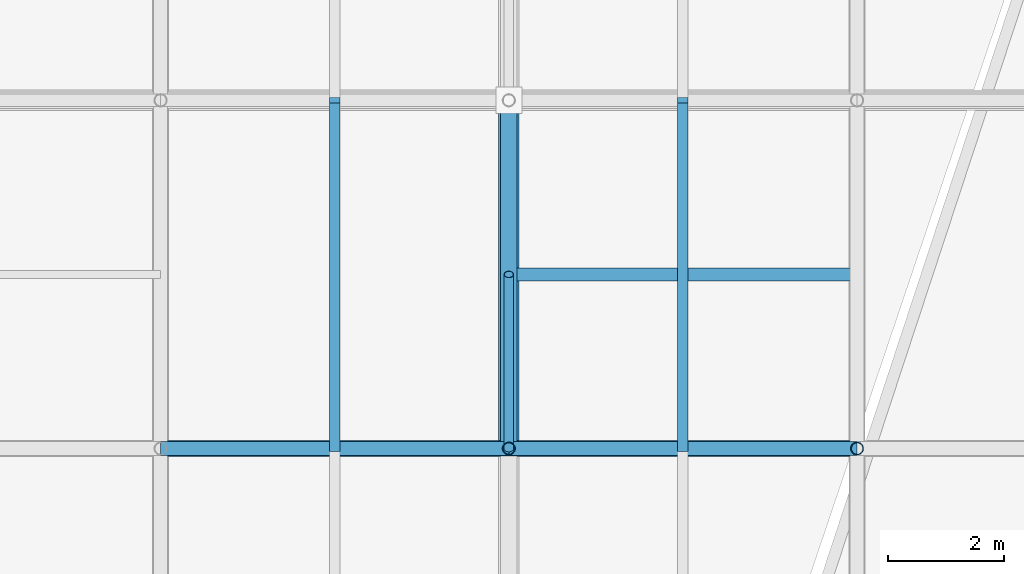
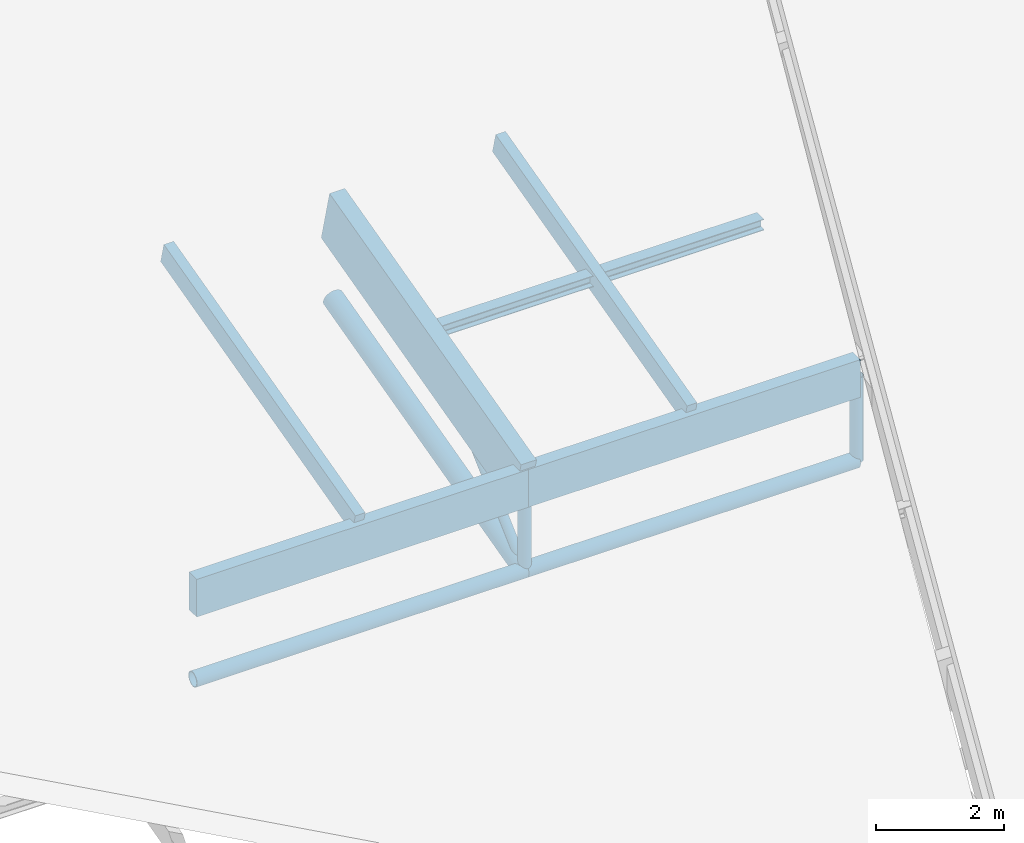
# One storey, part 10 of 80: 12 members.
"""IFC4 building model written with IfcOpenShell, lengths in metres."""

from ifc_helpers import new_model, si_unit, direction, frame, origin, origin_2d, place, context, subcontext, project, spatial, rectangle, hollow_circle, i_section, extrude, material, material_profile, profile_set, type_object, element, save


model = new_model("IFC4")

# Units and contexts
model_context = context("Model", 3, precision=1e-05, world=origin(), true_north=direction((0.0, 1.0)))
body_context = subcontext(model_context, "Body", "Model", "MODEL_VIEW")
ifc_project = project(units=[si_unit("LENGTHUNIT", "METRE"), si_unit("AREAUNIT", "SQUARE_METRE"), si_unit("VOLUMEUNIT", "CUBIC_METRE"), si_unit("PLANEANGLEUNIT", "RADIAN"), si_unit("MASSUNIT", "GRAM", prefix="KILO"), si_unit("THERMODYNAMICTEMPERATUREUNIT", "KELVIN"), si_unit("POWERUNIT", "WATT")], contexts=[model_context])

# Site, building, storey
site_placement = place(None, origin())
site = spatial("IfcSite", under=ifc_project, at=site_placement, CompositionType="ELEMENT")
building_placement = place(site_placement, origin())
building = spatial("IfcBuilding", under=site, at=building_placement, Name="Solmara Park Aquatics Centre", CompositionType="ELEMENT")
storey_placement = place(building_placement, frame((0.0, 0.0, 22.800048828125)))
storey = spatial("IfcBuildingStorey", under=building, at=storey_placement, Name="RF", CompositionType="ELEMENT", Elevation=22.800048828125)

# Members
ifc_material_1 = material(Name="Structural Steel S355", Category="steel")
ifc_material_profile_1 = material_profile(ifc_material_1, hollow_circle(Radius=0.084228515625, WallThickness=0.008056640625, at=origin_2d()), Name="CHS 168.3x8")
ifc_profile_set_1 = profile_set([ifc_material_profile_1], Name="Structural Steel S355")
member_type_1 = type_object("IfcMemberType", Name="STR-BRC-CHS168", PredefinedType="BRACE", material=ifc_profile_set_1)
member_1_placement = place(storey_placement, frame((36.60009765625, 18.60009765625, -9.58984375), z_axis=(0.0, 0.736437262703, 0.67650584484), x_axis=(-1.0, 0.0, 0.0)))
element("IfcMember", 1, at=member_1_placement, inside=storey, type_object=member_type_1, Name="Roof Truss Web Diagonal Y 1918", PredefinedType="BRACE", context=body_context, shape_type="SweptSolid", body=[
    extrude(hollow_circle(Radius=0.084228515625, WallThickness=0.008056640625, at=origin_2d()), origin(), (0.0, 0.0, 1.0), 4.07373046875),
])
ifc_material_profile_2 = material_profile(ifc_material_1, hollow_circle(Radius=0.136474609375, WallThickness=0.012451171875, at=origin_2d()), Name="CHS 273x12.5")
ifc_profile_set_2 = profile_set([ifc_material_profile_2], Name="Structural Steel S355")
member_type_2 = type_object("IfcMemberType", Name="STR-CHD-CHS273", PredefinedType="CHORD", material=ifc_profile_set_2)
for number, where, z_axis, x_axis, name in (
    (2, (30.60009765625, 18.60009765625, -9.58984375), (1.0, 0.0, 0.0), (0.0, 1.0, 0.0), "Steel Roof Truss Bottom Chord X 0120"),
    (3, (36.60009765625, 18.60009765625, -9.58984375), (1.0, 0.0, 0.0), (0.0, 1.0, 0.0), "Steel Roof Truss Bottom Chord X 0122"),
):
    element("IfcMember", number, at=place(storey_placement, frame(where, z_axis=z_axis, x_axis=x_axis)), inside=storey, type_object=member_type_2, Name=name, PredefinedType="CHORD", context=body_context, shape_type="SweptSolid", body=[
        extrude(hollow_circle(Radius=0.136474609375, WallThickness=0.012451171875, at=origin_2d()), origin(), (0.0, 0.0, 1.0), 6.0),
    ])
ifc_material_profile_3 = material_profile(ifc_material_1, hollow_circle(Radius=0.177734375, WallThickness=0.01611328125, at=origin_2d()), Name="CHS 355.6x16")
ifc_profile_set_3 = profile_set([ifc_material_profile_3], Name="Structural Steel S355")
member_type_3 = type_object("IfcMemberType", Name="STR-CHD-CHS355", PredefinedType="CHORD", material=ifc_profile_set_3)
member_2_placement = place(storey_placement, frame((36.60009765625, 18.60009765625, -9.58984375), z_axis=(0.0, 0.968145594442, 0.250387914969), x_axis=(-1.0, 0.0, 0.0)))
element("IfcMember", 4, at=member_2_placement, inside=storey, type_object=member_type_3, Name="Steel Roof Truss Bottom Chord Y 0716", PredefinedType="CHORD", context=body_context, shape_type="SweptSolid", body=[
    extrude(hollow_circle(Radius=0.177734375, WallThickness=0.01611328125, at=origin_2d()), origin(), (0.0, 0.0, 1.0), 6.197509765625),
])
ifc_material_2 = material(Name="Glulam Timber GL28h", Category="wood")
ifc_material_profile_4 = material_profile(ifc_material_2, rectangle(XDim=0.239990234375, YDim=0.719970703125, at=origin_2d()), Name="GL28h 240x720")
ifc_profile_set_4 = profile_set([ifc_material_profile_4], Name="Glulam Timber GL28h")
member_type_4 = type_object("IfcMemberType", Name="STR-CHD-GL240x720", PredefinedType="CHORD", material=ifc_profile_set_4)
for number, where, z_axis, x_axis, name in (
    (5, (30.60009765625, 18.60009765625, -7.9697265625), (1.0, 0.0, 0.0), (0.0, 1.0, 0.0), "Glulam Roof Truss Top Chord X 0119"),
    (6, (36.60009765625, 18.60009765625, -7.9697265625), (1.0, 0.0, 0.0), (0.0, 1.0, 0.0), "Glulam Roof Truss Top Chord X 0121"),
):
    element("IfcMember", number, at=place(storey_placement, frame(where, z_axis=z_axis, x_axis=x_axis)), inside=storey, type_object=member_type_4, Name=name, PredefinedType="CHORD", context=body_context, shape_type="SweptSolid", body=[
        extrude(rectangle(XDim=0.239990234375, YDim=0.719970703125, at=origin_2d()), origin(), (0.0, 0.0, 1.0), 6.0),
    ])
ifc_material_profile_5 = material_profile(ifc_material_2, rectangle(XDim=0.280029296875, YDim=1.0400390625, at=origin_2d()), Name="GL28h 280x1040")
ifc_profile_set_5 = profile_set([ifc_material_profile_5], Name="Glulam Timber GL28h")
member_type_5 = type_object("IfcMemberType", Name="STR-CHD-GL280x1040", PredefinedType="CHORD", material=ifc_profile_set_5)
member_3_placement = place(storey_placement, frame((36.60009765625, 18.60009765625, -7.9697265625), z_axis=(0.0, 0.968145594442, 0.250387914969), x_axis=(-1.0, 0.0, 0.0)))
element("IfcMember", 7, at=member_3_placement, inside=storey, type_object=member_type_5, Name="Glulam Roof Truss Top Chord Y 0715", PredefinedType="CHORD", context=body_context, shape_type="SweptSolid", body=[
    extrude(rectangle(XDim=0.280029296875, YDim=1.0400390625, at=origin_2d()), origin(), (0.0, 0.0, 1.0), 6.197509765625),
])
ifc_material_profile_6 = material_profile(ifc_material_2, rectangle(XDim=0.179931640625, YDim=0.39990234375, at=origin_2d()), Name="GL28h 180x400")
ifc_profile_set_6 = profile_set([ifc_material_profile_6], Name="Glulam Timber GL28h")
member_type_6 = type_object("IfcMemberType", Name="STR-PRL-GL180x400", PredefinedType="PURLIN", material=ifc_profile_set_6)
for number, where, z_axis, x_axis, name in (
    (8, (33.60009765625, 18.60009765625, -7.649658203125), (0.0, 0.968155143395, 0.250350990246), (-1.0, 0.0, 0.0), "Glulam Roof Purlin 1478"),
    (9, (39.60009765625, 18.60009765625, -7.649658203125), (0.0, 0.968155143395, 0.250350990246), (-1.0, 0.0, 0.0), "Glulam Roof Purlin 1506"),
):
    element("IfcMember", number, at=place(storey_placement, frame(where, z_axis=z_axis, x_axis=x_axis)), inside=storey, type_object=member_type_6, Name=name, PredefinedType="PURLIN", context=body_context, shape_type="SweptSolid", body=[
        extrude(rectangle(XDim=0.179931640625, YDim=0.39990234375, at=origin_2d()), origin(), (0.0, 0.0, 1.0), 6.197265625),
    ])
ifc_material_profile_7 = material_profile(ifc_material_1, i_section(OverallWidth=0.219970703125, OverallDepth=0.2099609375, WebThickness=0.007080078125, FlangeThickness=0.010986328125, FilletRadius=0.01806640625, at=origin_2d()), Name="HEA 220")
ifc_profile_set_7 = profile_set([ifc_material_profile_7], Name="Structural Steel S355")
member_type_7 = type_object("IfcMemberType", Name="STR-PRL-HEA220", PredefinedType="PURLIN", material=ifc_profile_set_7)
member_4_placement = place(storey_placement, frame((36.60009765625, 21.60009765625, -6.85400390625), z_axis=(1.0, 0.0, 0.0), x_axis=(0.0, 1.0, 0.0)))
element("IfcMember", 10, at=member_4_placement, inside=storey, type_object=member_type_7, Name="Glulam Secondary Roof Purlin 1907", PredefinedType="PURLIN", context=body_context, shape_type="SweptSolid", body=[
    extrude(i_section(OverallWidth=0.219970703125, OverallDepth=0.2099609375, WebThickness=0.007080078125, FlangeThickness=0.010986328125, FilletRadius=0.01806640625, at=origin_2d()), origin(), (0.0, 0.0, 1.0), 6.0),
])
ifc_material_profile_8 = material_profile(ifc_material_1, hollow_circle(Radius=0.109619140625, WallThickness=0.010009765625, at=origin_2d()), Name="CHS 219.1x10")
ifc_profile_set_8 = profile_set([ifc_material_profile_8], Name="Structural Steel S355")
member_type_8 = type_object("IfcMemberType", Name="STR-PST-CHS219", PredefinedType="POST", material=ifc_profile_set_8)
for number, where, z_axis, x_axis, name in (
    (11, (36.60009765625, 18.60009765625, -9.58984375), (0.0, 0.0, 1.0), (1.0, 0.0, 0.0), "Roof Truss Web Post 1159"),
    (12, (42.60009765625, 18.60009765625, -9.58984375), (0.0, 0.0, 1.0), (1.0, 0.0, 0.0), "Roof Truss Web Post 1174"),
):
    element("IfcMember", number, at=place(storey_placement, frame(where, z_axis=z_axis, x_axis=x_axis)), inside=storey, type_object=member_type_8, Name=name, PredefinedType="POST", context=body_context, shape_type="SweptSolid", body=[
        extrude(hollow_circle(Radius=0.109619140625, WallThickness=0.010009765625, at=origin_2d()), origin(), (0.0, 0.0, 1.0), 1.6201171875),
    ])

save(model, "model.ifc")
